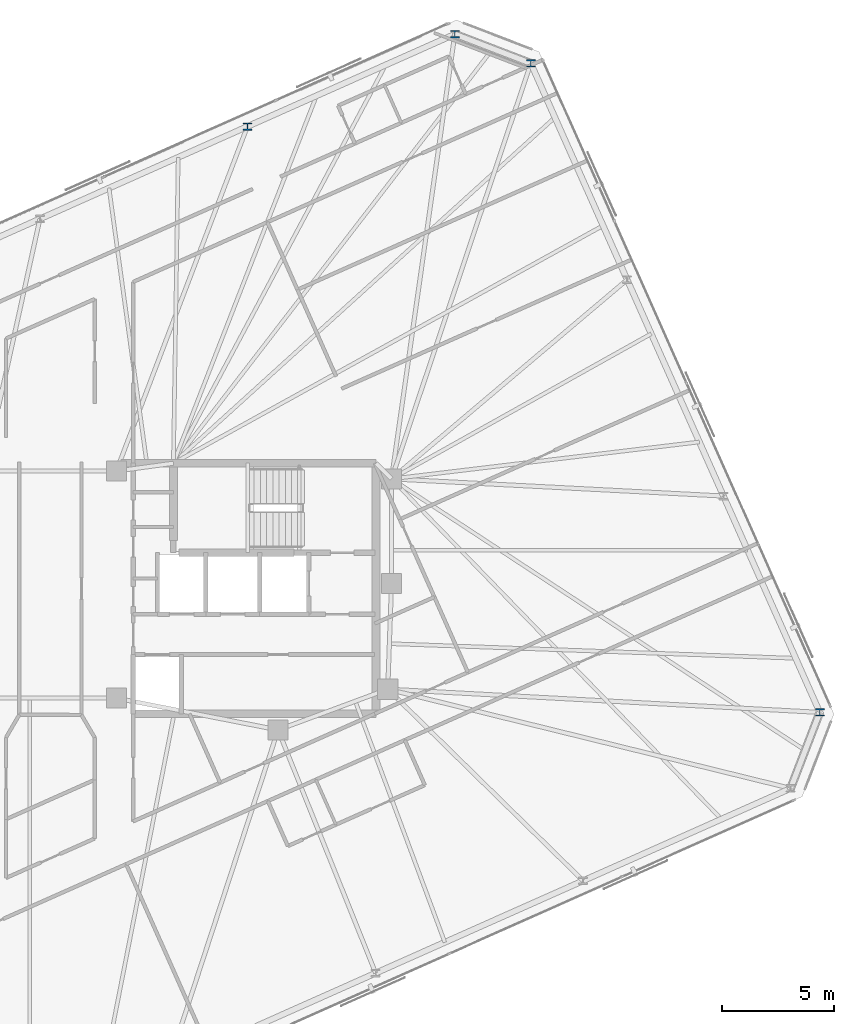
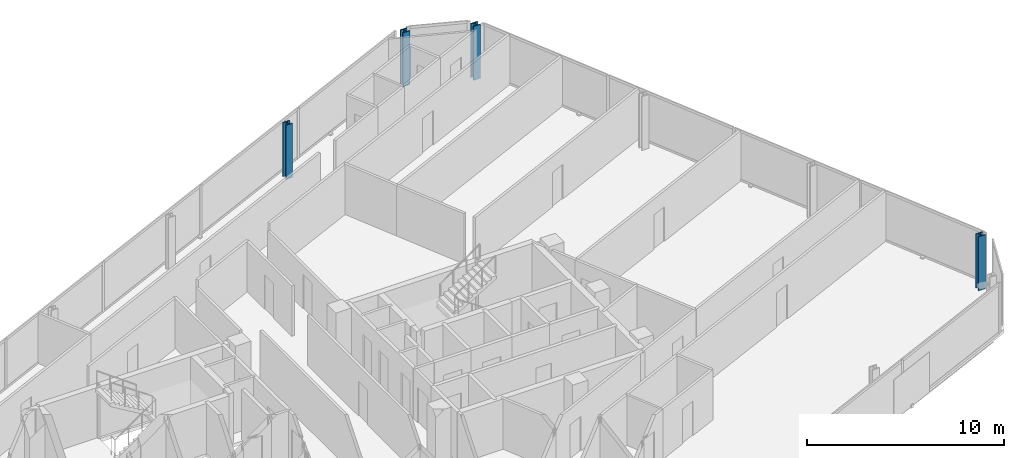
# One storey, part 4 of 18: 4 columns.
"""IFC4 building model written with IfcOpenShell, lengths in metres."""

from ifc_helpers import new_model, si_unit, direction, frame, origin, origin_2d, place, context, subcontext, project, spatial, i_section, extrude, material, material_profile, profile_set, type_object, element, save


model = new_model("IFC4")

# Units and contexts
model_context = context("Model", 3, precision=1e-05, world=origin(), true_north=direction((0.0, 1.0)))
body_context = subcontext(model_context, "Body", "Model", "MODEL_VIEW")
ifc_project = project(units=[si_unit("LENGTHUNIT", "METRE"), si_unit("AREAUNIT", "SQUARE_METRE"), si_unit("VOLUMEUNIT", "CUBIC_METRE"), si_unit("PLANEANGLEUNIT", "RADIAN"), si_unit("MASSUNIT", "GRAM", prefix="KILO")], contexts=[model_context])

# Site, building, storey
site_placement = place(None, origin())
site = spatial("IfcSite", under=ifc_project, at=site_placement, CompositionType="ELEMENT")
building_placement = place(site_placement, origin())
building = spatial("IfcBuilding", under=site, at=building_placement, Name="Menara Jurai Vektor", CompositionType="ELEMENT")
storey_placement = place(building_placement, frame((0.0, 0.0, 285.25)))
storey = spatial("IfcBuildingStorey", under=building, at=storey_placement, Name="L76", CompositionType="ELEMENT", Elevation=285.25)

# Columns
ifc_material = material(Name="Steel S460", Category="steel")
ifc_material_profile = material_profile(ifc_material, i_section(OverallWidth=0.40087890625, OverallDepth=0.3349609375, WebThickness=0.035888671875, FlangeThickness=0.05810546875, FilletRadius=0.014892578125, at=origin_2d()), Name="HD 400x463")
ifc_profile_set = profile_set([ifc_material_profile], Name="Steel S460")
column_type = type_object("IfcColumnType", Name="STR-EXO-BLK5", PredefinedType="COLUMN", material=ifc_profile_set)
for number, where, z_axis, x_axis, name in (
    (1, (34.3916015625, -5.536865234375, 0.0), (0.0, 0.0, 1.0), (1.0, 0.0, 0.0), "Exoskeleton Column BLK5-E1 L76"),
    (2, (21.4755859375, 23.473388671875, 0.0), (0.0, 0.0, 1.0), (1.0, 0.0, 0.0), "Exoskeleton Column BLK5-E4 L76"),
    (3, (18.07958984375, 24.777099609375, 0.0), (0.0, 0.0, 1.0), (1.0, 0.0, 0.0), "Exoskeleton Column BLK5-N1 L76"),
    (4, (8.805908203125, 20.648193359375, 0.0), (0.0, 0.0, 1.0), (1.0, 0.0, 0.0), "Exoskeleton Column BLK5-N2 L76"),
):
    element("IfcColumn", number, at=place(storey_placement, frame(where, z_axis=z_axis, x_axis=x_axis)), inside=storey, type_object=column_type, Name=name, PredefinedType="COLUMN", context=body_context, shape_type="SweptSolid", body=[
        extrude(i_section(OverallWidth=0.40087890625, OverallDepth=0.3349609375, WebThickness=0.035888671875, FlangeThickness=0.05810546875, FilletRadius=0.014892578125, at=origin_2d()), origin(), (0.0, 0.0, 1.0), 3.35009765625),
    ])

save(model, "model.ifc")
